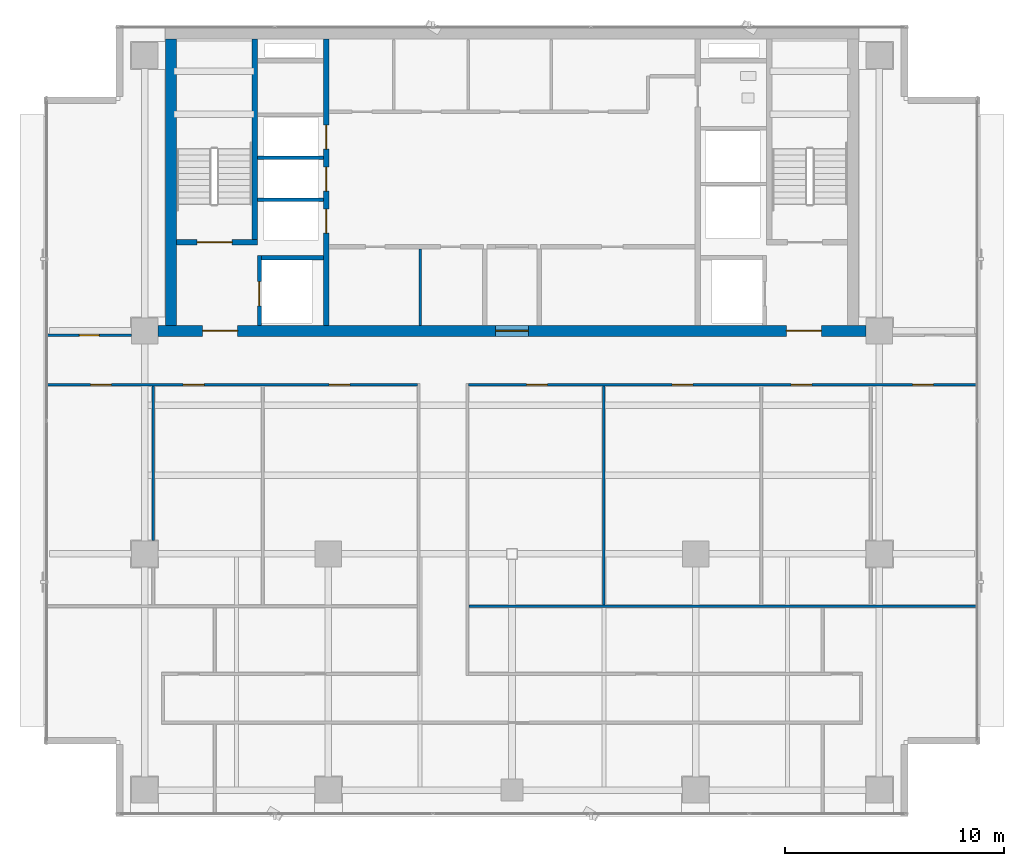
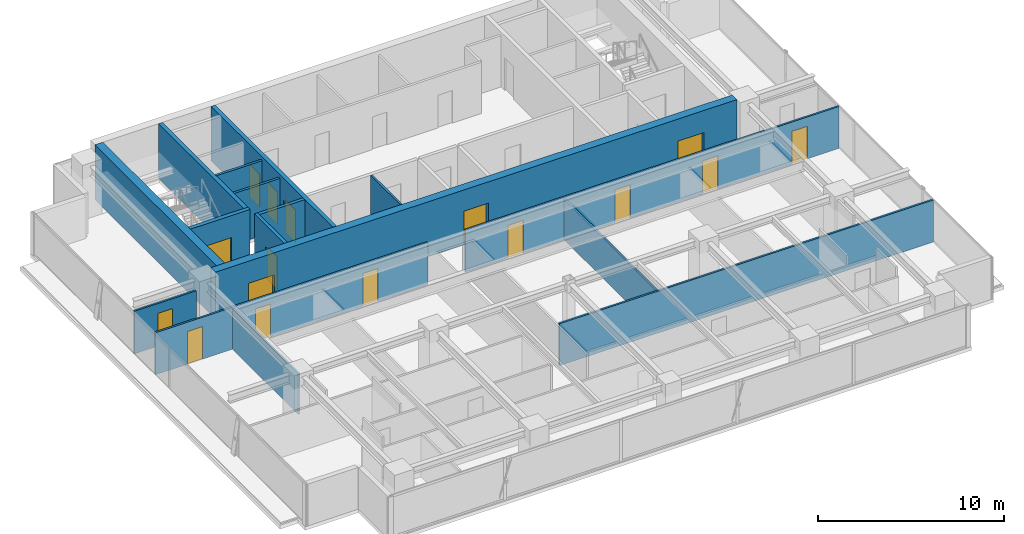
# One storey, part 16 of 22: 16 doors, 16 walls, 16 openings.
"""IFC4 building model written with IfcOpenShell, lengths in metres."""

from ifc_helpers import new_model, si_unit, direction, frame, frame_2d, origin, place, context, subcontext, project, spatial, rectangle, extrude, source, transform, mapped, material, layer, layer_set, type_object, element, fill, save


model = new_model("IFC4")

# Units and contexts
model_context = context("Model", 3, precision=1e-05, world=origin(), true_north=direction((0.0, 1.0)))
body_context = subcontext(model_context, "Body", "Model", "MODEL_VIEW")
ifc_project = project(units=[si_unit("LENGTHUNIT", "METRE"), si_unit("AREAUNIT", "SQUARE_METRE"), si_unit("VOLUMEUNIT", "CUBIC_METRE"), si_unit("PLANEANGLEUNIT", "RADIAN"), si_unit("MASSUNIT", "GRAM", prefix="KILO")], contexts=[model_context])

# Site, building, storey
site_placement = place(None, origin())
site = spatial("IfcSite", under=ifc_project, at=site_placement, CompositionType="ELEMENT")
building_placement = place(site_placement, origin())
building = spatial("IfcBuilding", under=site, at=building_placement, Name="Sumidabori Civic Tower", CompositionType="ELEMENT")
storey_placement = place(building_placement, frame((0.0, 0.0, 272.0)))
storey = spatial("IfcBuildingStorey", under=building, at=storey_placement, Name="L71", CompositionType="ELEMENT", Elevation=272.0)

# Walls
ifc_material_1 = material(Name="Concrete C50/60", Category="concrete")
ifc_layer_1 = layer(ifc_material_1, 0.199951171875, Name="Concrete C50/60")
ifc_layer_set_1 = layer_set([ifc_layer_1], Name="Concrete C50/60")
wall_type_1 = type_object("IfcWallType", Name="WL-SHAFT-200", PredefinedType="SHEAR", material=ifc_layer_set_1)
shared_shape_1 = source(origin(), body_context, "Body", "SweptSolid", [
    extrude(rectangle(XDim=2.824951171875, YDim=0.199951171875, at=frame_2d((1.41259765625, 0.0))), origin(), (0.0, 0.0, 1.0), 3.60009765625),
])
wall_1_placement = place(storey_placement, frame((-11.449951171875, 13.550048828125, 0.0), z_axis=(0.0, 0.0, 1.0), x_axis=(1.0, 0.0, 0.0)))
element("IfcWall", 1, at=wall_1_placement, inside=storey, type_object=wall_type_1, Name="Core Shear Wall L71 EL1-N", PredefinedType="SHEAR", context=body_context, shape_type="MappedRepresentation", body=[
    mapped(shared_shape_1, transform((0.0, 0.0, 0.0), x_axis=(1.0, 0.0, 0.0), y_axis=(0.0, 1.0, 0.0), z_axis=(0.0, 0.0, 1.0), scale=1.0)),
])
ifc_layer_2 = layer(ifc_material_1, 0.5, Name="Concrete C50/60")
ifc_layer_set_2 = layer_set([ifc_layer_2], Name="Concrete C50/60")
wall_type_2 = type_object("IfcWallType", Name="WL-CORE-500", PredefinedType="SHEAR", material=ifc_layer_set_2)
shared_shape_2 = source(origin(), body_context, "Body", "SweptSolid", [
    extrude(rectangle(XDim=13.10009765625, YDim=0.5, at=frame_2d((6.550048828125, 0.0))), origin(), (0.0, 0.0, 1.0), 3.60009765625),
])
wall_2_placement = place(storey_placement, frame((-15.60009765625, 10.449951171875, 0.0), z_axis=(0.0, 0.0, 1.0), x_axis=(0.0, 1.0, 0.0)))
element("IfcWall", 2, at=wall_2_placement, inside=storey, type_object=wall_type_2, Name="Core Shear Wall L71 W", PredefinedType="SHEAR", context=body_context, shape_type="MappedRepresentation", body=[
    mapped(shared_shape_2, transform((0.0, 0.0, 0.0), x_axis=(1.0, 0.0, 0.0), y_axis=(0.0, 1.0, 0.0), z_axis=(0.0, 0.0, 1.0), scale=1.0)),
])

# Wall, openings, doors
ifc_layer_3 = layer(ifc_material_1, 0.25, Name="Concrete C50/60")
ifc_layer_set_3 = layer_set([ifc_layer_3], Name="Concrete C50/60")
wall_type_3 = type_object("IfcWallType", Name="WL-SHAFT-250", PredefinedType="SHEAR", material=ifc_layer_set_3)
shared_shape_3 = source(origin(), body_context, "Body", "SweptSolid", [
    extrude(rectangle(XDim=13.10009765625, YDim=0.25, at=frame_2d((6.550048828125, 0.0))), origin(), (0.0, 0.0, 1.0), 3.60009765625),
])
wall_3_placement = place(storey_placement, frame((-8.5, 10.449951171875, 0.0), z_axis=(0.0, 0.0, 1.0), x_axis=(0.0, 1.0, 0.0)))
wall_3 = element("IfcWall", 3, at=wall_3_placement, inside=storey, type_object=wall_type_3, Name="Core Shear Wall L71 WEB-W", PredefinedType="SHEAR", context=body_context, shape_type="MappedRepresentation", body=[
    mapped(shared_shape_3, transform((0.0, 0.0, 0.0), x_axis=(1.0, 0.0, 0.0), y_axis=(0.0, 1.0, 0.0), z_axis=(0.0, 0.0, 1.0), scale=1.0)),
])
opening_1_placement = place(wall_3_placement, frame((4.219970703125, 0.0, 0.0)))
opening_1 = element("IfcOpeningElement", 4, at=opening_1_placement, cuts=wall_3, Name="Opening LD-1", PredefinedType="OPENING", context=body_context, shape_type="SweptSolid", body=[
    extrude(rectangle(XDim=1.10009765625, YDim=2.14990234375, at=frame_2d((0.550048828125, 1.074951171875))), frame((0.0, 0.136962890625, 0.0), z_axis=(0.0, -1.0, 0.0), x_axis=(1.0, 0.0, 0.0)), (0.0, 0.0, 1.0), 0.27392578125),
])
opening_2_placement = place(wall_3_placement, frame((6.139892578125, 0.0, 0.0)))
opening_2 = element("IfcOpeningElement", 5, at=opening_2_placement, cuts=wall_3, Name="Opening LD-1", PredefinedType="OPENING", context=body_context, shape_type="SweptSolid", body=[
    extrude(rectangle(XDim=1.10009765625, YDim=2.14990234375, at=frame_2d((0.550048828125, 1.074951171875))), frame((0.0, 0.136962890625, 0.0), z_axis=(0.0, -1.0, 0.0), x_axis=(1.0, 0.0, 0.0)), (0.0, 0.0, 1.0), 0.27392578125),
])
opening_3_placement = place(wall_3_placement, frame((8.06005859375, 0.0, 0.0)))
opening_3 = element("IfcOpeningElement", 6, at=opening_3_placement, cuts=wall_3, Name="Opening LD-1", PredefinedType="OPENING", context=body_context, shape_type="SweptSolid", body=[
    extrude(rectangle(XDim=1.10009765625, YDim=2.14990234375, at=frame_2d((0.550048828125, 1.074951171875))), frame((0.0, 0.136962890625, 0.0), z_axis=(0.0, -1.0, 0.0), x_axis=(1.0, 0.0, 0.0)), (0.0, 0.0, 1.0), 0.27392578125),
])
ifc_material_2 = material(Name="Stainless Steel Hairline Finish", Category="steel")
door_type_1 = type_object("IfcDoorType", Name="DR-LD1", OperationType="DOUBLE_DOOR_SLIDING", PredefinedType="DOOR", material=ifc_material_2)
shared_shape_4 = source(origin(), body_context, "Body", "SweptSolid", [
    extrude(rectangle(XDim=1.10009765625, YDim=2.14990234375, at=frame_2d((0.550048828125, 1.074951171875))), frame((0.0, 0.02490234375, 0.0), z_axis=(0.0, -1.0, 0.0), x_axis=(1.0, 0.0, 0.0)), (0.0, 0.0, 1.0), 0.050048828125),
])
door_1_placement = place(opening_1_placement, origin())
door_1 = element("IfcDoor", 7, at=door_1_placement, inside=storey, type_object=door_type_1, Name="Door DR:L71:LD-PLH1", OperationType="DOUBLE_DOOR_SLIDING", OverallHeight=2.14990234375, OverallWidth=1.10009765625, PredefinedType="DOOR", context=body_context, shape_type="MappedRepresentation", body=[
    mapped(shared_shape_4, transform((0.0, 0.0, 0.0), x_axis=(1.0, 0.0, 0.0), y_axis=(0.0, 1.0, 0.0), z_axis=(0.0, 0.0, 1.0), scale=1.0)),
])
fill(opening_1, door_1)
door_2_placement = place(opening_2_placement, origin())
door_2 = element("IfcDoor", 8, at=door_2_placement, inside=storey, type_object=door_type_1, Name="Door DR:L71:LD-PLH2", OperationType="DOUBLE_DOOR_SLIDING", OverallHeight=2.14990234375, OverallWidth=1.10009765625, PredefinedType="DOOR", context=body_context, shape_type="MappedRepresentation", body=[
    mapped(shared_shape_4, transform((0.0, 0.0, 0.0), x_axis=(1.0, 0.0, 0.0), y_axis=(0.0, 1.0, 0.0), z_axis=(0.0, 0.0, 1.0), scale=1.0)),
])
fill(opening_2, door_2)
door_3_placement = place(opening_3_placement, origin())
door_3 = element("IfcDoor", 9, at=door_3_placement, inside=storey, type_object=door_type_1, Name="Door DR:L71:LD-PLH3", OperationType="DOUBLE_DOOR_SLIDING", OverallHeight=2.14990234375, OverallWidth=1.10009765625, PredefinedType="DOOR", context=body_context, shape_type="MappedRepresentation", body=[
    mapped(shared_shape_4, transform((0.0, 0.0, 0.0), x_axis=(1.0, 0.0, 0.0), y_axis=(0.0, 1.0, 0.0), z_axis=(0.0, 0.0, 1.0), scale=1.0)),
])
fill(opening_3, door_3)

# Wall, opening, door
shared_shape_5 = source(origin(), body_context, "Body", "SweptSolid", [
    extrude(rectangle(XDim=3.705078125, YDim=0.25, at=frame_2d((1.8525390625, 0.0))), origin(), (0.0, 0.0, 1.0), 3.60009765625),
])
wall_4_placement = place(storey_placement, frame((-15.35009765625, 14.25, 0.0), z_axis=(0.0, 0.0, 1.0), x_axis=(1.0, 0.0, 0.0)))
wall_4 = element("IfcWall", 10, at=wall_4_placement, inside=storey, type_object=wall_type_3, Name="Core Shear Wall L71 ST1-S", PredefinedType="SHEAR", context=body_context, shape_type="MappedRepresentation", body=[
    mapped(shared_shape_5, transform((0.0, 0.0, 0.0), x_axis=(1.0, 0.0, 0.0), y_axis=(0.0, 1.0, 0.0), z_axis=(0.0, 0.0, 1.0), scale=1.0)),
])
opening_4_placement = place(wall_4_placement, frame((0.949951171875, 0.0, 0.0)))
opening_4 = element("IfcOpeningElement", 11, at=opening_4_placement, cuts=wall_4, Name="Opening DR-FD4", PredefinedType="OPENING", context=body_context, shape_type="SweptSolid", body=[
    extrude(rectangle(XDim=1.60009765625, YDim=2.14990234375, at=frame_2d((0.800048828125, 1.074951171875))), frame((0.0, 0.136962890625, 0.0), z_axis=(0.0, -1.0, 0.0), x_axis=(1.0, 0.0, 0.0)), (0.0, 0.0, 1.0), 0.27392578125),
])
ifc_material_3 = material(Name="Steel SN490", Category="steel")
door_type_2 = type_object("IfcDoorType", Name="DR-FD4", OperationType="DOUBLE_DOOR_SINGLE_SWING", PredefinedType="DOOR", material=ifc_material_3)
shared_shape_6 = source(origin(), body_context, "Body", "SweptSolid", [
    extrude(rectangle(XDim=1.60009765625, YDim=2.14990234375, at=frame_2d((0.800048828125, 1.074951171875))), frame((0.0, 0.02490234375, 0.0), z_axis=(0.0, -1.0, 0.0), x_axis=(1.0, 0.0, 0.0)), (0.0, 0.0, 1.0), 0.050048828125),
])
door_4_placement = place(opening_4_placement, origin())
door_4 = element("IfcDoor", 12, at=door_4_placement, inside=storey, type_object=door_type_2, Name="Door DR:L71:ST1", OperationType="DOUBLE_DOOR_SINGLE_SWING", OverallHeight=2.14990234375, OverallWidth=1.60009765625, PredefinedType="DOOR", context=body_context, shape_type="MappedRepresentation", body=[
    mapped(shared_shape_6, transform((0.0, 0.0, 0.0), x_axis=(1.0, 0.0, 0.0), y_axis=(0.0, 1.0, 0.0), z_axis=(0.0, 0.0, 1.0), scale=1.0)),
])
fill(opening_4, door_4)

# Wall
shared_shape_7 = source(origin(), body_context, "Body", "SweptSolid", [
    extrude(rectangle(XDim=9.175048828125, YDim=0.25, at=frame_2d((4.58740234375, 0.0))), origin(), (0.0, 0.0, 1.0), 3.60009765625),
])
wall_5_placement = place(storey_placement, frame((-11.77001953125, 14.375, 0.0), z_axis=(0.0, 0.0, 1.0), x_axis=(0.0, 1.0, 0.0)))
element("IfcWall", 13, at=wall_5_placement, inside=storey, type_object=wall_type_3, Name="Core Shear Wall L71 ST1-E", PredefinedType="SHEAR", context=body_context, shape_type="MappedRepresentation", body=[
    mapped(shared_shape_7, transform((0.0, 0.0, 0.0), x_axis=(1.0, 0.0, 0.0), y_axis=(0.0, 1.0, 0.0), z_axis=(0.0, 0.0, 1.0), scale=1.0)),
])

# Wall, opening, door
shared_shape_8 = source(origin(), body_context, "Body", "SweptSolid", [
    extrude(rectangle(XDim=3.199951171875, YDim=0.199951171875, at=frame_2d((1.60009765625, 0.0))), origin(), (0.0, 0.0, 1.0), 3.60009765625),
])
wall_6_placement = place(storey_placement, frame((-11.550048828125, 10.449951171875, 0.0), z_axis=(0.0, 0.0, 1.0), x_axis=(0.0, 1.0, 0.0)))
wall_6 = element("IfcWall", 14, at=wall_6_placement, inside=storey, type_object=wall_type_1, Name="Core Shear Wall L71 EL1-W", PredefinedType="SHEAR", context=body_context, shape_type="MappedRepresentation", body=[
    mapped(shared_shape_8, transform((0.0, 0.0, 0.0), x_axis=(1.0, 0.0, 0.0), y_axis=(0.0, 1.0, 0.0), z_axis=(0.0, 0.0, 1.0), scale=1.0)),
])
opening_5_placement = place(wall_6_placement, frame((0.89990234375, 0.0, 0.0)))
opening_5 = element("IfcOpeningElement", 15, at=opening_5_placement, cuts=wall_6, Name="Opening LD-2", PredefinedType="OPENING", context=body_context, shape_type="SweptSolid", body=[
    extrude(rectangle(XDim=1.10009765625, YDim=2.14990234375, at=frame_2d((0.550048828125, 1.074951171875))), frame((0.0, 0.11181640625, 0.0), z_axis=(0.0, -1.0, 0.0), x_axis=(1.0, 0.0, 0.0)), (0.0, 0.0, 1.0), 0.223876953125),
])
door_type_3 = type_object("IfcDoorType", Name="DR-LD2", OperationType="DOUBLE_DOOR_SLIDING", PredefinedType="DOOR", material=ifc_material_2)
door_5_placement = place(opening_5_placement, origin())
door_5 = element("IfcDoor", 16, at=door_5_placement, inside=storey, type_object=door_type_3, Name="Door DR:L71:LD-EL1", OperationType="DOUBLE_DOOR_SLIDING", OverallHeight=2.14990234375, OverallWidth=1.10009765625, PredefinedType="DOOR", context=body_context, shape_type="MappedRepresentation", body=[
    mapped(shared_shape_4, transform((0.0, 0.0, 0.0), x_axis=(1.0, 0.0, 0.0), y_axis=(0.0, 1.0, 0.0), z_axis=(0.0, 0.0, 1.0), scale=1.0)),
])
fill(opening_5, door_5)

# Wall, openings, doors
shared_shape_9 = source(origin(), body_context, "Body", "SweptSolid", [
    extrude(rectangle(XDim=32.39990234375, YDim=0.5, at=frame_2d((16.199951171875, 0.0))), origin(), (0.0, 0.0, 1.0), 3.60009765625),
])
wall_7_placement = place(storey_placement, frame((-16.199951171875, 10.199951171875, 0.0), z_axis=(0.0, 0.0, 1.0), x_axis=(1.0, 0.0, 0.0)))
wall_7 = element("IfcWall", 17, at=wall_7_placement, inside=storey, type_object=wall_type_2, Name="Core Shear Wall L71 S", PredefinedType="SHEAR", context=body_context, shape_type="MappedRepresentation", body=[
    mapped(shared_shape_9, transform((0.0, 0.0, 0.0), x_axis=(1.0, 0.0, 0.0), y_axis=(0.0, 1.0, 0.0), z_axis=(0.0, 0.0, 1.0), scale=1.0)),
])
opening_6_placement = place(wall_7_placement, frame((2.050048828125, 0.0, 0.0)))
opening_6 = element("IfcOpeningElement", 18, at=opening_6_placement, cuts=wall_7, Name="Opening DR-FD4", PredefinedType="OPENING", context=body_context, shape_type="SweptSolid", body=[
    extrude(rectangle(XDim=1.60009765625, YDim=2.14990234375, at=frame_2d((0.800048828125, 1.074951171875))), frame((0.0, 0.261962890625, 0.0), z_axis=(0.0, -1.0, 0.0), x_axis=(1.0, 0.0, 0.0)), (0.0, 0.0, 1.0), 0.52392578125),
])
opening_7_placement = place(wall_7_placement, frame((28.75, 0.0, 0.0)))
opening_7 = element("IfcOpeningElement", 19, at=opening_7_placement, cuts=wall_7, Name="Opening DR-FD4", PredefinedType="OPENING", context=body_context, shape_type="SweptSolid", body=[
    extrude(rectangle(XDim=1.60009765625, YDim=2.14990234375, at=frame_2d((0.800048828125, 1.074951171875))), frame((0.0, 0.261962890625, 0.0), z_axis=(0.0, -1.0, 0.0), x_axis=(1.0, 0.0, 0.0)), (0.0, 0.0, 1.0), 0.52392578125),
])
opening_8_placement = place(wall_7_placement, frame((15.449951171875, 0.0, 0.0)))
opening_8 = element("IfcOpeningElement", 20, at=opening_8_placement, cuts=wall_7, Name="Opening DR-FD3", PredefinedType="OPENING", context=body_context, shape_type="SweptSolid", body=[
    extrude(rectangle(XDim=1.5, YDim=2.199951171875, at=frame_2d((0.75, 1.10009765625))), frame((0.0, 0.261962890625, 0.0), z_axis=(0.0, -1.0, 0.0), x_axis=(1.0, 0.0, 0.0)), (0.0, 0.0, 1.0), 0.52392578125),
])
door_6_placement = place(opening_6_placement, origin())
door_6 = element("IfcDoor", 21, at=door_6_placement, inside=storey, type_object=door_type_2, Name="Door DR:L71:ELOB-W", OperationType="DOUBLE_DOOR_SINGLE_SWING", OverallHeight=2.14990234375, OverallWidth=1.60009765625, PredefinedType="DOOR", context=body_context, shape_type="MappedRepresentation", body=[
    mapped(shared_shape_6, transform((0.0, 0.0, 0.0), x_axis=(1.0, 0.0, 0.0), y_axis=(0.0, 1.0, 0.0), z_axis=(0.0, 0.0, 1.0), scale=1.0)),
])
fill(opening_6, door_6)
door_7_placement = place(opening_7_placement, origin())
door_7 = element("IfcDoor", 22, at=door_7_placement, inside=storey, type_object=door_type_2, Name="Door DR:L71:ELOB-E", OperationType="DOUBLE_DOOR_SINGLE_SWING", OverallHeight=2.14990234375, OverallWidth=1.60009765625, PredefinedType="DOOR", context=body_context, shape_type="MappedRepresentation", body=[
    mapped(shared_shape_6, transform((0.0, 0.0, 0.0), x_axis=(1.0, 0.0, 0.0), y_axis=(0.0, 1.0, 0.0), z_axis=(0.0, 0.0, 1.0), scale=1.0)),
])
fill(opening_7, door_7)
door_type_4 = type_object("IfcDoorType", Name="DR-FD-DBL", OperationType="DOUBLE_DOOR_SINGLE_SWING", PredefinedType="DOOR", material=ifc_material_3)
shared_shape_10 = source(origin(), body_context, "Body", "SweptSolid", [
    extrude(rectangle(XDim=1.5, YDim=2.199951171875, at=frame_2d((0.75, 1.10009765625))), frame((0.0, 0.02490234375, 0.0), z_axis=(0.0, -1.0, 0.0), x_axis=(1.0, 0.0, 0.0)), (0.0, 0.0, 1.0), 0.050048828125),
])
door_8_placement = place(opening_8_placement, origin())
door_8 = element("IfcDoor", 23, at=door_8_placement, inside=storey, type_object=door_type_4, Name="Door DR:L71:THROAT-OUT", OperationType="DOUBLE_DOOR_SINGLE_SWING", OverallHeight=2.199951171875, OverallWidth=1.5, PredefinedType="DOOR", context=body_context, shape_type="MappedRepresentation", body=[
    mapped(shared_shape_10, transform((0.0, 0.0, 0.0), x_axis=(1.0, 0.0, 0.0), y_axis=(0.0, 1.0, 0.0), z_axis=(0.0, 0.0, 1.0), scale=1.0)),
])
fill(opening_8, door_8)

# Walls
ifc_material_4 = material(Name="Gypsum Plasterboard Acoustic Partition")
ifc_layer_4 = layer(ifc_material_4, 0.14990234375, Name="Gypsum Plasterboard Acoustic Partition")
ifc_layer_set_4 = layer_set([ifc_layer_4], Name="Gypsum Plasterboard Acoustic Partition")
wall_type_4 = type_object("IfcWallType", Name="WL-PART-150", PredefinedType="PARTITIONING", material=ifc_layer_set_4)
shared_shape_11 = source(origin(), body_context, "Body", "SweptSolid", [
    extrude(rectangle(XDim=3.010009765625, YDim=0.14990234375, at=frame_2d((1.5048828125, 0.0))), origin(), (0.0, 0.0, 1.0), 3.3701171875),
])
for number, where, z_axis, x_axis, name in (
    (24, (-11.639892578125, 16.199951171875, 0.0), (0.0, 0.0, 1.0), (1.0, 0.0, 0.0), "Interior Partition WL:L71:DIV-PLH1"),
    (25, (-11.639892578125, 18.1201171875, 0.0), (0.0, 0.0, 1.0), (1.0, 0.0, 0.0), "Interior Partition WL:L71:DIV-PLH2"),
):
    element("IfcWall", number, at=place(storey_placement, frame(where, z_axis=z_axis, x_axis=x_axis)), inside=storey, type_object=wall_type_4, Name=name, PredefinedType="PARTITIONING", context=body_context, shape_type="MappedRepresentation", body=[
        mapped(shared_shape_11, transform((0.0, 0.0, 0.0), x_axis=(1.0, 0.0, 0.0), y_axis=(0.0, 1.0, 0.0), z_axis=(0.0, 0.0, 1.0), scale=1.0)),
    ])
ifc_layer_5 = layer(ifc_material_4, 0.1201171875, Name="Gypsum Plasterboard Acoustic Partition")
ifc_layer_set_5 = layer_set([ifc_layer_5], Name="Gypsum Plasterboard Acoustic Partition")
wall_type_5 = type_object("IfcWallType", Name="WL-PART-120", PredefinedType="PARTITIONING", material=ifc_layer_set_5)
shared_shape_12 = source(origin(), body_context, "Body", "SweptSolid", [
    extrude(rectangle(XDim=3.489990234375, YDim=0.1201171875, at=frame_2d((1.7451171875, 0.0))), origin(), (0.0, 0.0, 1.0), 3.3701171875),
])
wall_8_placement = place(storey_placement, frame((-4.199951171875, 10.449951171875, 0.0), z_axis=(0.0, 0.0, 1.0), x_axis=(0.0, 1.0, 0.0)))
element("IfcWall", 26, at=wall_8_placement, inside=storey, type_object=wall_type_5, Name="Interior Partition WL:L71:REC-B1-SP", PredefinedType="PARTITIONING", context=body_context, shape_type="MappedRepresentation", body=[
    mapped(shared_shape_12, transform((0.0, 0.0, 0.0), x_axis=(1.0, 0.0, 0.0), y_axis=(0.0, 1.0, 0.0), z_axis=(0.0, 0.0, 1.0), scale=1.0)),
])

# Wall, opening, door
shared_shape_13 = source(origin(), body_context, "Body", "SweptSolid", [
    extrude(rectangle(XDim=3.840087890625, YDim=0.1201171875, at=frame_2d((1.919921875, 0.0))), origin(), (0.0, 0.0, 1.0), 2.804931640625),
])
wall_9_placement = place(storey_placement, frame((-21.25, 10.0, 0.0), z_axis=(0.0, 0.0, 1.0), x_axis=(1.0, 0.0, 0.0)))
wall_9 = element("IfcWall", 27, at=wall_9_placement, inside=storey, type_object=wall_type_5, Name="Interior Partition WL:L71:FLK-NW", PredefinedType="PARTITIONING", context=body_context, shape_type="MappedRepresentation", body=[
    mapped(shared_shape_13, transform((0.0, 0.0, 0.0), x_axis=(1.0, 0.0, 0.0), y_axis=(0.0, 1.0, 0.0), z_axis=(0.0, 0.0, 1.0), scale=1.0)),
])
opening_9_placement = place(wall_9_placement, frame((1.469970703125, 0.0, 0.0)))
opening_9 = element("IfcOpeningElement", 28, at=opening_9_placement, cuts=wall_9, Name="Opening DR-1", PredefinedType="OPENING", context=body_context, shape_type="SweptSolid", body=[
    extrude(rectangle(XDim=0.89990234375, YDim=2.14990234375, at=frame_2d((0.449951171875, 1.074951171875))), frame((0.0, 0.072021484375, 0.0), z_axis=(0.0, -1.0, 0.0), x_axis=(1.0, 0.0, 0.0)), (0.0, 0.0, 1.0), 0.14404296875),
])
ifc_material_5 = material(Name="Japanese Hinoki Timber", Category="wood")
door_type_5 = type_object("IfcDoorType", Name="DR-INT-900", OperationType="NOTDEFINED", PredefinedType="DOOR", material=ifc_material_5)
shared_shape_14 = source(origin(), body_context, "Body", "SweptSolid", [
    extrude(rectangle(XDim=0.89990234375, YDim=2.14990234375, at=frame_2d((0.449951171875, 1.074951171875))), frame((0.0, 0.02490234375, 0.0), z_axis=(0.0, -1.0, 0.0), x_axis=(1.0, 0.0, 0.0)), (0.0, 0.0, 1.0), 0.050048828125),
])
door_9_placement = place(opening_9_placement, origin())
door_9 = element("IfcDoor", 29, at=door_9_placement, inside=storey, type_object=door_type_5, Name="Door DR:L71:FLK-NW", OperationType="SINGLE_SWING_LEFT", OverallHeight=2.14990234375, OverallWidth=0.89990234375, PredefinedType="DOOR", context=body_context, shape_type="MappedRepresentation", body=[
    mapped(shared_shape_14, transform((0.0, 0.0, 0.0), x_axis=(1.0, 0.0, 0.0), y_axis=(0.0, 1.0, 0.0), z_axis=(0.0, 0.0, 1.0), scale=1.0)),
])
fill(opening_9, door_9)

# Wall, openings, doors
shared_shape_15 = source(origin(), body_context, "Body", "SweptSolid", [
    extrude(rectangle(XDim=16.929931640625, YDim=0.1201171875, at=frame_2d((8.46484375, 0.0))), origin(), (0.0, 0.0, 1.0), 2.7548828125),
])
wall_10_placement = place(storey_placement, frame((-21.25, 7.739990234375, 0.0), z_axis=(0.0, 0.0, 1.0), x_axis=(1.0, 0.0, 0.0)))
wall_10 = element("IfcWall", 30, at=wall_10_placement, inside=storey, type_object=wall_type_5, Name="Interior Partition WL:L71:CORR-SW", PredefinedType="PARTITIONING", context=body_context, shape_type="MappedRepresentation", body=[
    mapped(shared_shape_15, transform((0.0, 0.0, 0.0), x_axis=(1.0, 0.0, 0.0), y_axis=(0.0, 1.0, 0.0), z_axis=(0.0, 0.0, 1.0), scale=1.0)),
])
opening_10_placement = place(wall_10_placement, frame((1.97998046875, 0.0, 0.0)))
opening_10 = element("IfcOpeningElement", 31, at=opening_10_placement, cuts=wall_10, Name="Opening DR-2", PredefinedType="OPENING", context=body_context, shape_type="SweptSolid", body=[
    extrude(rectangle(XDim=0.949951171875, YDim=2.14990234375, at=frame_2d((0.47509765625, 1.074951171875))), frame((0.0, 0.072021484375, 0.0), z_axis=(0.0, -1.0, 0.0), x_axis=(1.0, 0.0, 0.0)), (0.0, 0.0, 1.0), 0.14404296875),
])
opening_11_placement = place(wall_10_placement, frame((6.215087890625, 0.0, 0.0)))
opening_11 = element("IfcOpeningElement", 32, at=opening_11_placement, cuts=wall_10, Name="Opening DR-2", PredefinedType="OPENING", context=body_context, shape_type="SweptSolid", body=[
    extrude(rectangle(XDim=0.949951171875, YDim=2.14990234375, at=frame_2d((0.47509765625, 1.074951171875))), frame((0.0, 0.072021484375, 0.0), z_axis=(0.0, -1.0, 0.0), x_axis=(1.0, 0.0, 0.0)), (0.0, 0.0, 1.0), 0.14404296875),
])
opening_12_placement = place(wall_10_placement, frame((12.885009765625, 0.0, 0.0)))
opening_12 = element("IfcOpeningElement", 33, at=opening_12_placement, cuts=wall_10, Name="Opening DR-2", PredefinedType="OPENING", context=body_context, shape_type="SweptSolid", body=[
    extrude(rectangle(XDim=0.949951171875, YDim=2.14990234375, at=frame_2d((0.47509765625, 1.074951171875))), frame((0.0, 0.072021484375, 0.0), z_axis=(0.0, -1.0, 0.0), x_axis=(1.0, 0.0, 0.0)), (0.0, 0.0, 1.0), 0.14404296875),
])
door_type_6 = type_object("IfcDoorType", Name="DR-INT-950", OperationType="NOTDEFINED", PredefinedType="DOOR", material=ifc_material_5)
shared_shape_16 = source(origin(), body_context, "Body", "SweptSolid", [
    extrude(rectangle(XDim=0.949951171875, YDim=2.14990234375, at=frame_2d((0.47509765625, 1.074951171875))), frame((0.0, 0.02490234375, 0.0), z_axis=(0.0, -1.0, 0.0), x_axis=(1.0, 0.0, 0.0)), (0.0, 0.0, 1.0), 0.050048828125),
])
door_10_placement = place(opening_10_placement, origin())
door_10 = element("IfcDoor", 34, at=door_10_placement, inside=storey, type_object=door_type_6, Name="Door DR:L71:D03", OperationType="SINGLE_SWING_LEFT", OverallHeight=2.14990234375, OverallWidth=0.949951171875, PredefinedType="DOOR", context=body_context, shape_type="MappedRepresentation", body=[
    mapped(shared_shape_16, transform((0.0, 0.0, 0.0), x_axis=(1.0, 0.0, 0.0), y_axis=(0.0, 1.0, 0.0), z_axis=(0.0, 0.0, 1.0), scale=1.0)),
])
fill(opening_10, door_10)
door_11_placement = place(opening_11_placement, origin())
door_11 = element("IfcDoor", 35, at=door_11_placement, inside=storey, type_object=door_type_6, Name="Door DR:L71:D04", OperationType="SINGLE_SWING_RIGHT", OverallHeight=2.14990234375, OverallWidth=0.949951171875, PredefinedType="DOOR", context=body_context, shape_type="MappedRepresentation", body=[
    mapped(shared_shape_16, transform((0.0, 0.0, 0.0), x_axis=(1.0, 0.0, 0.0), y_axis=(0.0, 1.0, 0.0), z_axis=(0.0, 0.0, 1.0), scale=1.0)),
])
fill(opening_11, door_11)
door_12_placement = place(opening_12_placement, origin())
door_12 = element("IfcDoor", 36, at=door_12_placement, inside=storey, type_object=door_type_6, Name="Door DR:L71:D05", OperationType="SINGLE_SWING_LEFT", OverallHeight=2.14990234375, OverallWidth=0.949951171875, PredefinedType="DOOR", context=body_context, shape_type="MappedRepresentation", body=[
    mapped(shared_shape_16, transform((0.0, 0.0, 0.0), x_axis=(1.0, 0.0, 0.0), y_axis=(0.0, 1.0, 0.0), z_axis=(0.0, 0.0, 1.0), scale=1.0)),
])
fill(opening_12, door_12)

shared_shape_17 = source(origin(), body_context, "Body", "SweptSolid", [
    extrude(rectangle(XDim=23.22998046875, YDim=0.1201171875, at=frame_2d((11.614990234375, 0.0))), origin(), (0.0, 0.0, 1.0), 2.7548828125),
])
wall_11_placement = place(storey_placement, frame((-1.97998046875, 7.739990234375, 0.0), z_axis=(0.0, 0.0, 1.0), x_axis=(1.0, 0.0, 0.0)))
wall_11 = element("IfcWall", 37, at=wall_11_placement, inside=storey, type_object=wall_type_5, Name="Interior Partition WL:L71:CORR-SE", PredefinedType="PARTITIONING", context=body_context, shape_type="MappedRepresentation", body=[
    mapped(shared_shape_17, transform((0.0, 0.0, 0.0), x_axis=(1.0, 0.0, 0.0), y_axis=(0.0, 1.0, 0.0), z_axis=(0.0, 0.0, 1.0), scale=1.0)),
])
opening_13_placement = place(wall_11_placement, frame((2.64501953125, 0.0, 0.0)))
opening_13 = element("IfcOpeningElement", 38, at=opening_13_placement, cuts=wall_11, Name="Opening DR-2", PredefinedType="OPENING", context=body_context, shape_type="SweptSolid", body=[
    extrude(rectangle(XDim=0.949951171875, YDim=2.14990234375, at=frame_2d((0.47509765625, 1.074951171875))), frame((0.0, 0.072021484375, 0.0), z_axis=(0.0, -1.0, 0.0), x_axis=(1.0, 0.0, 0.0)), (0.0, 0.0, 1.0), 0.14404296875),
])
opening_14_placement = place(wall_11_placement, frame((9.304931640625, 0.0, 0.0)))
opening_14 = element("IfcOpeningElement", 39, at=opening_14_placement, cuts=wall_11, Name="Opening DR-2", PredefinedType="OPENING", context=body_context, shape_type="SweptSolid", body=[
    extrude(rectangle(XDim=0.949951171875, YDim=2.14990234375, at=frame_2d((0.47509765625, 1.074951171875))), frame((0.0, 0.072021484375, 0.0), z_axis=(0.0, -1.0, 0.0), x_axis=(1.0, 0.0, 0.0)), (0.0, 0.0, 1.0), 0.14404296875),
])
opening_15_placement = place(wall_11_placement, frame((14.7451171875, 0.0, 0.0)))
opening_15 = element("IfcOpeningElement", 40, at=opening_15_placement, cuts=wall_11, Name="Opening DR-2", PredefinedType="OPENING", context=body_context, shape_type="SweptSolid", body=[
    extrude(rectangle(XDim=0.949951171875, YDim=2.14990234375, at=frame_2d((0.47509765625, 1.074951171875))), frame((0.0, 0.072021484375, 0.0), z_axis=(0.0, -1.0, 0.0), x_axis=(1.0, 0.0, 0.0)), (0.0, 0.0, 1.0), 0.14404296875),
])
opening_16_placement = place(wall_11_placement, frame((20.300048828125, 0.0, 0.0)))
opening_16 = element("IfcOpeningElement", 41, at=opening_16_placement, cuts=wall_11, Name="Opening DR-2", PredefinedType="OPENING", context=body_context, shape_type="SweptSolid", body=[
    extrude(rectangle(XDim=0.949951171875, YDim=2.14990234375, at=frame_2d((0.47509765625, 1.074951171875))), frame((0.0, 0.072021484375, 0.0), z_axis=(0.0, -1.0, 0.0), x_axis=(1.0, 0.0, 0.0)), (0.0, 0.0, 1.0), 0.14404296875),
])
door_13_placement = place(opening_13_placement, origin())
door_13 = element("IfcDoor", 42, at=door_13_placement, inside=storey, type_object=door_type_6, Name="Door DR:L71:D06", OperationType="SINGLE_SWING_RIGHT", OverallHeight=2.14990234375, OverallWidth=0.949951171875, PredefinedType="DOOR", context=body_context, shape_type="MappedRepresentation", body=[
    mapped(shared_shape_16, transform((0.0, 0.0, 0.0), x_axis=(1.0, 0.0, 0.0), y_axis=(0.0, 1.0, 0.0), z_axis=(0.0, 0.0, 1.0), scale=1.0)),
])
fill(opening_13, door_13)
door_14_placement = place(opening_14_placement, origin())
door_14 = element("IfcDoor", 43, at=door_14_placement, inside=storey, type_object=door_type_6, Name="Door DR:L71:D07", OperationType="SINGLE_SWING_LEFT", OverallHeight=2.14990234375, OverallWidth=0.949951171875, PredefinedType="DOOR", context=body_context, shape_type="MappedRepresentation", body=[
    mapped(shared_shape_16, transform((0.0, 0.0, 0.0), x_axis=(1.0, 0.0, 0.0), y_axis=(0.0, 1.0, 0.0), z_axis=(0.0, 0.0, 1.0), scale=1.0)),
])
fill(opening_14, door_14)
door_15_placement = place(opening_15_placement, origin())
door_15 = element("IfcDoor", 44, at=door_15_placement, inside=storey, type_object=door_type_6, Name="Door DR:L71:D08", OperationType="SINGLE_SWING_RIGHT", OverallHeight=2.14990234375, OverallWidth=0.949951171875, PredefinedType="DOOR", context=body_context, shape_type="MappedRepresentation", body=[
    mapped(shared_shape_16, transform((0.0, 0.0, 0.0), x_axis=(1.0, 0.0, 0.0), y_axis=(0.0, 1.0, 0.0), z_axis=(0.0, 0.0, 1.0), scale=1.0)),
])
fill(opening_15, door_15)
door_16_placement = place(opening_16_placement, origin())
door_16 = element("IfcDoor", 45, at=door_16_placement, inside=storey, type_object=door_type_6, Name="Door DR:L71:D09", OperationType="SINGLE_SWING_LEFT", OverallHeight=2.14990234375, OverallWidth=0.949951171875, PredefinedType="DOOR", context=body_context, shape_type="MappedRepresentation", body=[
    mapped(shared_shape_16, transform((0.0, 0.0, 0.0), x_axis=(1.0, 0.0, 0.0), y_axis=(0.0, 1.0, 0.0), z_axis=(0.0, 0.0, 1.0), scale=1.0)),
])
fill(opening_16, door_16)

# Walls
shared_shape_18 = source(origin(), body_context, "Body", "SweptSolid", [
    extrude(rectangle(XDim=23.22509765625, YDim=0.1201171875, at=frame_2d((11.612548828125, 0.0))), origin(), (0.0, 0.0, 1.0), 2.7548828125),
])
wall_12_placement = place(storey_placement, frame((-1.97509765625, -2.39990234375, 0.0), z_axis=(0.0, 0.0, 1.0), x_axis=(1.0, 0.0, 0.0)))
element("IfcWall", 46, at=wall_12_placement, inside=storey, type_object=wall_type_5, Name="Interior Partition WL:L71:BAND-Y-2", PredefinedType="PARTITIONING", context=body_context, shape_type="MappedRepresentation", body=[
    mapped(shared_shape_18, transform((0.0, 0.0, 0.0), x_axis=(1.0, 0.0, 0.0), y_axis=(0.0, 1.0, 0.0), z_axis=(0.0, 0.0, 1.0), scale=1.0)),
])
shared_shape_19 = source(origin(), body_context, "Body", "SweptSolid", [
    extrude(rectangle(XDim=7.06494140625, YDim=0.1201171875, at=frame_2d((3.532470703125, 0.0))), origin(), (0.0, 0.0, 1.0), 2.655029296875),
])
wall_13_placement = place(storey_placement, frame((-16.39990234375, 0.610107421875, 0.0), z_axis=(0.0, 0.0, 1.0), x_axis=(0.0, 1.0, 0.0)))
element("IfcWall", 47, at=wall_13_placement, inside=storey, type_object=wall_type_5, Name="Interior Partition WL:L71:VX-N1-2", PredefinedType="PARTITIONING", context=body_context, shape_type="MappedRepresentation", body=[
    mapped(shared_shape_19, transform((0.0, 0.0, 0.0), x_axis=(1.0, 0.0, 0.0), y_axis=(0.0, 1.0, 0.0), z_axis=(0.0, 0.0, 1.0), scale=1.0)),
])
shared_shape_20 = source(origin(), body_context, "Body", "SweptSolid", [
    extrude(rectangle(XDim=10.010009765625, YDim=0.1201171875, at=frame_2d((5.0048828125, 0.0))), origin(), (0.0, 0.0, 1.0), 2.655029296875),
])
wall_14_placement = place(storey_placement, frame((4.199951171875, -2.3349609375, 0.0), z_axis=(0.0, 0.0, 1.0), x_axis=(0.0, 1.0, 0.0)))
element("IfcWall", 48, at=wall_14_placement, inside=storey, type_object=wall_type_5, Name="Interior Partition WL:L71:VX-N3", PredefinedType="PARTITIONING", context=body_context, shape_type="MappedRepresentation", body=[
    mapped(shared_shape_20, transform((0.0, 0.0, 0.0), x_axis=(1.0, 0.0, 0.0), y_axis=(0.0, 1.0, 0.0), z_axis=(0.0, 0.0, 1.0), scale=1.0)),
])

save(model, "model.ifc")
